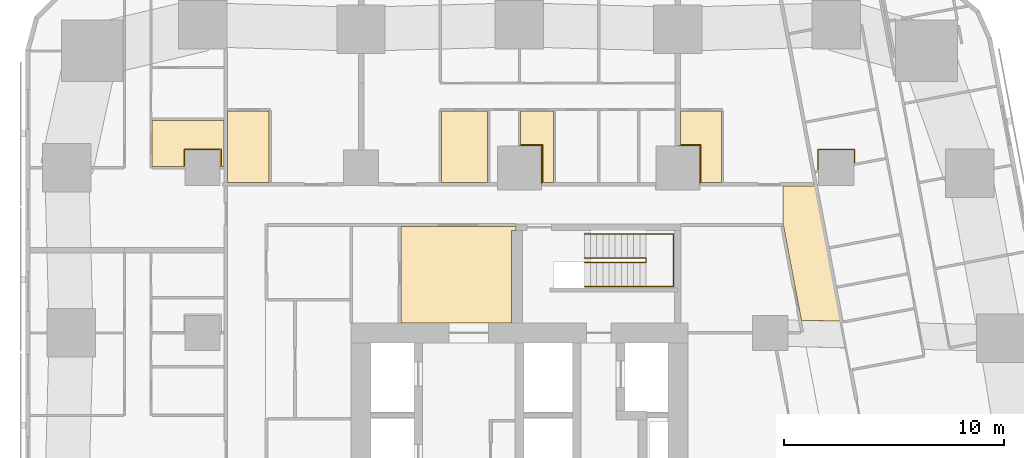
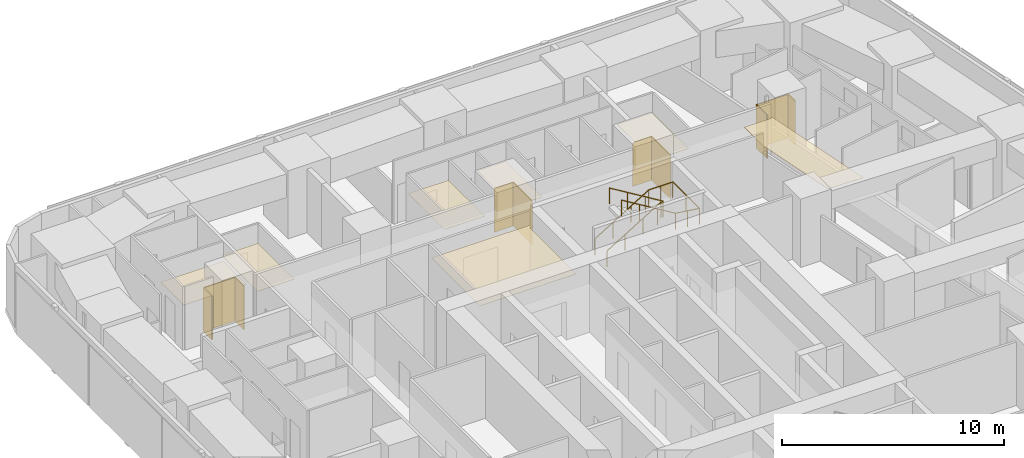
# One storey, part 15 of 15: 11 coverings, 2 railings.
"""IFC4 building model written with IfcOpenShell, lengths in metres."""

from ifc_helpers import new_model, si_unit, direction, frame, origin, origin_2d, place, context, subcontext, project, spatial, polyline, circle, outline, extrude, material, layer, layer_set, type_object, element, save


model = new_model("IFC4")

# Units and contexts
model_context = context("Model", 3, precision=1e-05, world=origin(), true_north=direction((0.0, 1.0)))
body_context = subcontext(model_context, "Body", "Model", "MODEL_VIEW")
ifc_project = project(units=[si_unit("LENGTHUNIT", "METRE"), si_unit("AREAUNIT", "SQUARE_METRE"), si_unit("VOLUMEUNIT", "CUBIC_METRE"), si_unit("PLANEANGLEUNIT", "RADIAN"), si_unit("MASSUNIT", "GRAM", prefix="KILO")], contexts=[model_context])

# Site, building, storey
site_placement = place(None, origin())
site = spatial("IfcSite", under=ifc_project, at=site_placement, CompositionType="ELEMENT")
building_placement = place(site_placement, origin())
building = spatial("IfcBuilding", under=site, at=building_placement, Name="Sheger Commons Tower", CompositionType="ELEMENT")
storey_placement = place(building_placement, frame((0.0, 0.0, 77.89990234375)))
storey = spatial("IfcBuildingStorey", under=building, at=storey_placement, Name="L19", CompositionType="ELEMENT", Elevation=77.89990234375)

# Railings
ifc_material_1 = material(Name="Steel handrail, black powder-coated", Category="steel")
railing_type = type_object("IfcRailingType", Name="HANDRAIL 900", PredefinedType="HANDRAIL", material=ifc_material_1)
railing_1_placement = place(storey_placement, frame((24.550048828125, 33.39990234375, 0.170654296875)))
element("IfcRailing", 1, at=railing_1_placement, inside=storey, type_object=railing_type, Name="Stair S2 handrail L19", PredefinedType="HANDRAIL", context=body_context, shape_type="SweptSolid", body=[
    extrude(circle(Radius=0.02392578125, at=origin_2d()), frame((0.0, 0.0, 0.8759765625), z_axis=(0.854202870247, 0.0, 0.519939858505), x_axis=(0.0, 1.0, 0.0)), (0.0, 0.0, 1.0), 3.278076171875),
    extrude(circle(Radius=0.02392578125, at=origin_2d()), frame((2.800048828125, 0.0, 2.580078125), z_axis=(0.0, -0.760631612298, 0.649183757016), x_axis=(1.0, 0.0, 0.0)), (0.0, 0.0, 1.0), 0.262939453125),
    extrude(circle(Radius=0.02392578125, at=origin_2d()), frame((2.800048828125, -0.199951171875, 2.7509765625), z_axis=(-0.854202870247, 0.0, 0.519939858505), x_axis=(0.0, -1.0, 0.0)), (0.0, 0.0, 1.0), 3.278076171875),
    extrude(circle(Radius=0.02099609375, at=origin_2d()), origin(), (0.0, 0.0, 1.0), 0.851806640625),
    extrude(circle(Radius=0.02099609375, at=origin_2d()), frame((0.933349609375, 0.0, 0.568115234375)), (0.0, 0.0, 1.0), 0.851806640625),
    extrude(circle(Radius=0.02099609375, at=origin_2d()), frame((1.86669921875, 0.0, 1.13623046875)), (0.0, 0.0, 1.0), 0.851806640625),
    extrude(circle(Radius=0.02099609375, at=origin_2d()), frame((2.800048828125, 0.0, 1.704345703125)), (0.0, 0.0, 1.0), 0.851806640625),
    extrude(circle(Radius=0.02099609375, at=origin_2d()), frame((2.800048828125, -0.199951171875, 1.875)), (0.0, 0.0, 1.0), 0.851806640625),
    extrude(circle(Radius=0.02099609375, at=origin_2d()), frame((1.86669921875, -0.199951171875, 2.443115234375)), (0.0, 0.0, 1.0), 0.851806640625),
    extrude(circle(Radius=0.02099609375, at=origin_2d()), frame((0.933349609375, -0.199951171875, 3.01123046875)), (0.0, 0.0, 1.0), 0.851806640625),
    extrude(circle(Radius=0.02099609375, at=origin_2d()), frame((0.0, -0.199951171875, 3.579345703125)), (0.0, 0.0, 1.0), 0.851806640625),
])
railing_2_placement = place(storey_placement, frame((24.550048828125, 34.5, 0.170654296875)))
element("IfcRailing", 2, at=railing_2_placement, inside=storey, type_object=railing_type, Name="Stair S2 handrail L19", PredefinedType="HANDRAIL", context=body_context, shape_type="SweptSolid", body=[
    extrude(circle(Radius=0.02392578125, at=origin_2d()), frame((0.0, 0.0, 0.8759765625), z_axis=(0.854202870247, 0.0, 0.519939858505), x_axis=(0.0, 1.0, 0.0)), (0.0, 0.0, 1.0), 3.278076171875),
    extrude(circle(Radius=0.02392578125, at=origin_2d()), frame((2.800048828125, 0.0, 2.580078125), z_axis=(1.0, 0.0, 0.0), x_axis=(0.0, 1.0, 0.0)), (0.0, 0.0, 1.0), 1.25),
    extrude(circle(Radius=0.02392578125, at=origin_2d()), frame((4.050048828125, 0.0, 2.580078125), z_axis=(0.0, -1.0, 0.0), x_axis=(1.0, 0.0, 0.0)), (0.0, 0.0, 1.0), 2.39990234375),
    extrude(circle(Radius=0.02392578125, at=origin_2d()), frame((4.050048828125, -2.39990234375, 2.580078125), z_axis=(-0.990808959222, 0.0, 0.135268645019), x_axis=(0.0, -1.0, 0.0)), (0.0, 0.0, 1.0), 1.261474609375),
    extrude(circle(Radius=0.02392578125, at=origin_2d()), frame((2.800048828125, -2.39990234375, 2.7509765625), z_axis=(-0.854202870247, 0.0, 0.519939858505), x_axis=(0.0, -1.0, 0.0)), (0.0, 0.0, 1.0), 3.278076171875),
    extrude(circle(Radius=0.02099609375, at=origin_2d()), origin(), (0.0, 0.0, 1.0), 0.851806640625),
    extrude(circle(Radius=0.02099609375, at=origin_2d()), frame((0.933349609375, 0.0, 0.568115234375)), (0.0, 0.0, 1.0), 0.851806640625),
    extrude(circle(Radius=0.02099609375, at=origin_2d()), frame((1.86669921875, 0.0, 1.13623046875)), (0.0, 0.0, 1.0), 0.851806640625),
    extrude(circle(Radius=0.02099609375, at=origin_2d()), frame((2.800048828125, 0.0, 1.704345703125)), (0.0, 0.0, 1.0), 0.851806640625),
    extrude(circle(Radius=0.02099609375, at=origin_2d()), frame((3.425048828125, 0.0, 1.704345703125)), (0.0, 0.0, 1.0), 0.851806640625),
    extrude(circle(Radius=0.02099609375, at=origin_2d()), frame((4.050048828125, 0.0, 1.704345703125)), (0.0, 0.0, 1.0), 0.851806640625),
    extrude(circle(Radius=0.02099609375, at=origin_2d()), frame((4.050048828125, -1.199951171875, 1.704345703125)), (0.0, 0.0, 1.0), 0.851806640625),
    extrude(circle(Radius=0.02099609375, at=origin_2d()), frame((4.050048828125, -2.39990234375, 1.704345703125)), (0.0, 0.0, 1.0), 0.851806640625),
    extrude(circle(Radius=0.02099609375, at=origin_2d()), frame((3.425048828125, -2.39990234375, 1.78955078125)), (0.0, 0.0, 1.0), 0.851806640625),
    extrude(circle(Radius=0.02099609375, at=origin_2d()), frame((2.800048828125, -2.39990234375, 1.875)), (0.0, 0.0, 1.0), 0.851806640625),
    extrude(circle(Radius=0.02099609375, at=origin_2d()), frame((1.86669921875, -2.39990234375, 2.443115234375)), (0.0, 0.0, 1.0), 0.851806640625),
    extrude(circle(Radius=0.02099609375, at=origin_2d()), frame((0.933349609375, -2.39990234375, 3.01123046875)), (0.0, 0.0, 1.0), 0.851806640625),
    extrude(circle(Radius=0.02099609375, at=origin_2d()), frame((0.0, -2.39990234375, 3.579345703125)), (0.0, 0.0, 1.0), 0.851806640625),
])

# Coverings
ifc_material_2 = material(Name="Moisture-resistant gypsum plasterboard 15 mm on a suspended galvanised steel grid", Category="steel")
ifc_layer_1 = layer(ifc_material_2, 0.014892578125)
ifc_layer_set_1 = layer_set([ifc_layer_1], Name="MOISTURE-RESISTANT CEILING 15")
covering_type_1 = type_object("IfcCoveringType", Name="MOISTURE-RESISTANT CEILING 15", PredefinedType="CEILING", material=ifc_layer_set_1)
covering_1_placement = place(storey_placement, frame((0.0, 0.0, 2.400146484375)))
element("IfcCovering", 3, at=covering_1_placement, inside=storey, type_object=covering_type_1, Name="L19-03.B1 ceiling", PredefinedType="CEILING", context=body_context, shape_type="SweptSolid", body=[
    extrude(outline(polyline([(4.905029296875, 37.554931640625), (6.39501953125, 37.554931640625), (6.39501953125, 38.304931640625), (8.0048828125, 38.304931640625), (8.0048828125, 37.554931640625), (8.169921875, 37.554931640625), (8.169921875, 39.655029296875), (4.905029296875, 39.655029296875), (4.905029296875, 37.554931640625)])), origin(), (0.0, 0.0, 1.0), 0.014892578125),
])
covering_2_placement = place(storey_placement, frame((0.0, 0.0, 2.400146484375)))
element("IfcCovering", 4, at=covering_2_placement, inside=storey, type_object=covering_type_1, Name="L19-10.B1 ceiling", PredefinedType="CEILING", context=body_context, shape_type="SweptSolid", body=[
    extrude(outline(polyline([(8.330078125, 36.830078125), (10.22412109375, 36.830078125), (10.22412109375, 40.094970703125), (8.330078125, 40.094970703125), (8.330078125, 36.830078125)])), origin(), (0.0, 0.0, 1.0), 0.014892578125),
])
covering_3_placement = place(storey_placement, frame((0.0, 0.0, 2.400146484375)))
element("IfcCovering", 5, at=covering_3_placement, inside=storey, type_object=covering_type_1, Name="L19-11.B1 ceiling", PredefinedType="CEILING", context=body_context, shape_type="SweptSolid", body=[
    extrude(outline(polyline([(18.054931640625, 36.830078125), (20.155029296875, 36.830078125), (20.155029296875, 40.094970703125), (18.054931640625, 40.094970703125), (18.054931640625, 36.830078125)])), origin(), (0.0, 0.0, 1.0), 0.014892578125),
])
covering_4_placement = place(storey_placement, frame((0.0, 0.0, 2.400146484375)))
element("IfcCovering", 6, at=covering_4_placement, inside=storey, type_object=covering_type_1, Name="L19-11.B2 ceiling", PredefinedType="CEILING", context=body_context, shape_type="SweptSolid", body=[
    extrude(outline(polyline([(22.60498046875, 36.830078125), (23.14501953125, 36.830078125), (23.14501953125, 40.094970703125), (21.655029296875, 40.094970703125), (21.655029296875, 38.5048828125), (22.60498046875, 38.5048828125), (22.60498046875, 36.830078125)])), origin(), (0.0, 0.0, 1.0), 0.014892578125),
])
covering_5_placement = place(storey_placement, frame((0.0, 0.0, 2.400146484375)))
element("IfcCovering", 7, at=covering_5_placement, inside=storey, type_object=covering_type_1, Name="L19-12.B1 ceiling", PredefinedType="CEILING", context=body_context, shape_type="SweptSolid", body=[
    extrude(outline(polyline([(29.804931640625, 36.830078125), (30.77392578125, 36.830078125), (30.77392578125, 40.094970703125), (28.929931640625, 40.094970703125), (28.929931640625, 38.5048828125), (29.804931640625, 38.5048828125), (29.804931640625, 36.830078125)])), origin(), (0.0, 0.0, 1.0), 0.014892578125),
])
ifc_material_3 = material(Name="Gypsum plasterboard 15 mm on a suspended steel grid", Category="steel")
ifc_layer_2 = layer(ifc_material_3, 0.014892578125)
ifc_layer_set_2 = layer_set([ifc_layer_2], Name="SUSPENDED CEILING 15")
covering_type_2 = type_object("IfcCoveringType", Name="SUSPENDED CEILING 15", PredefinedType="CEILING", material=ifc_layer_set_2)
covering_6_placement = place(storey_placement, frame((0.0, 0.0, 2.7001953125)))
element("IfcCovering", 8, at=covering_6_placement, inside=storey, type_object=covering_type_2, Name="L19-CO ceiling", PredefinedType="CEILING", context=body_context, shape_type="SweptSolid", body=[
    extrude(outline(polyline([(36.237060546875, 30.531982421875), (35.06201171875, 36.75), (34.97802734375, 36.75), (34.97802734375, 36.669921875), (33.572998046875, 36.669921875), (33.572998046875, 34.947998046875), (33.571044921875, 34.947998046875), (33.589111328125, 34.85205078125), (33.60595703125, 34.85498046875), (34.416015625, 30.572998046875), (36.237060546875, 30.531982421875)])), origin(), (0.0, 0.0, 1.0), 0.014892578125),
])
covering_7_placement = place(storey_placement, frame((0.0, 0.0, 2.7001953125)))
element("IfcCovering", 9, at=covering_7_placement, inside=storey, type_object=covering_type_2, Name="L19-SVN1 ceiling", PredefinedType="CEILING", context=body_context, shape_type="SweptSolid", body=[
    extrude(outline(polyline([(16.217041015625, 30.455078125), (21.2451171875, 30.455078125), (21.2451171875, 34.655029296875), (21.445068359375, 34.655029296875), (21.445068359375, 34.83203125), (16.217041015625, 34.83203125), (16.217041015625, 30.455078125)])), origin(), (0.0, 0.0, 1.0), 0.014892578125),
])
ifc_material_4 = material(Name="Moisture-resistant gypsum board 12.5 mm on 25 mm treated timber battens, tanked and tiled", Category="wood")
ifc_layer_3 = layer(ifc_material_4, 0.050048828125)
ifc_layer_set_3 = layer_set([ifc_layer_3], Name="WET-ROOM COLUMN LINING")
covering_type_3 = type_object("IfcCoveringType", Name="WET-ROOM COLUMN LINING", PredefinedType="CLADDING", material=ifc_layer_set_3)
covering_8_placement = place(storey_placement, origin())
element("IfcCovering", 10, at=covering_8_placement, inside=storey, type_object=covering_type_3, Name="Bathroom column lining C9 L19", PredefinedType="CLADDING", context=body_context, shape_type="SweptSolid", body=[
    extrude(outline(polyline([(8.050048828125, 38.35009765625), (8.050048828125, 37.550048828125), (8.0009765625, 37.550048828125), (8.0009765625, 37.5), (8.0, 37.5), (8.0, 38.300048828125), (6.39990234375, 38.300048828125), (6.39990234375, 37.5), (6.39892578125, 37.5), (6.39892578125, 37.550048828125), (6.35009765625, 37.550048828125), (6.35009765625, 38.35009765625), (8.050048828125, 38.35009765625)])), origin(), (0.0, 0.0, 1.0), 2.400146484375),
])
covering_9_placement = place(storey_placement, origin())
element("IfcCovering", 11, at=covering_9_placement, inside=storey, type_object=covering_type_3, Name="Shower room column lining C7 L19", PredefinedType="CLADDING", context=body_context, shape_type="SweptSolid", body=[
    extrude(outline(polyline([(22.64990234375, 36.824951171875), (22.60107421875, 36.824951171875), (22.60107421875, 36.75), (22.60009765625, 36.75), (22.60009765625, 38.5), (21.60009765625, 38.5), (21.60009765625, 38.5009765625), (21.64990234375, 38.5009765625), (21.64990234375, 38.550048828125), (22.64990234375, 38.550048828125), (22.64990234375, 36.824951171875)])), origin(), (0.0, 0.0, 1.0), 2.400146484375),
])
covering_10_placement = place(storey_placement, origin())
element("IfcCovering", 12, at=covering_10_placement, inside=storey, type_object=covering_type_3, Name="Shower room column lining C7 L19", PredefinedType="CLADDING", context=body_context, shape_type="SweptSolid", body=[
    extrude(outline(polyline([(29.85009765625, 36.824951171875), (29.801025390625, 36.824951171875), (29.801025390625, 36.75), (29.800048828125, 36.75), (29.800048828125, 38.5), (28.800048828125, 38.5), (28.800048828125, 38.5009765625), (28.925048828125, 38.5009765625), (28.925048828125, 38.550048828125), (29.85009765625, 38.550048828125), (29.85009765625, 36.824951171875)])), origin(), (0.0, 0.0, 1.0), 2.400146484375),
])
covering_11_placement = place(storey_placement, origin())
element("IfcCovering", 13, at=covering_11_placement, inside=storey, type_object=covering_type_3, Name="Laundry room column lining C9 L19", PredefinedType="CLADDING", context=body_context, shape_type="SweptSolid", body=[
    extrude(outline(polyline([(36.85009765625, 38.35009765625), (36.85009765625, 37.7109375), (36.801025390625, 37.701904296875), (36.81005859375, 37.653076171875), (36.800048828125, 37.65087890625), (36.800048828125, 38.300048828125), (35.199951171875, 38.300048828125), (35.199951171875, 37.34912109375), (35.18994140625, 37.346923828125), (35.180908203125, 37.39599609375), (35.14990234375, 37.389892578125), (35.14990234375, 38.35009765625), (36.85009765625, 38.35009765625)])), origin(), (0.0, 0.0, 1.0), 2.400146484375),
])

save(model, "model.ifc")
